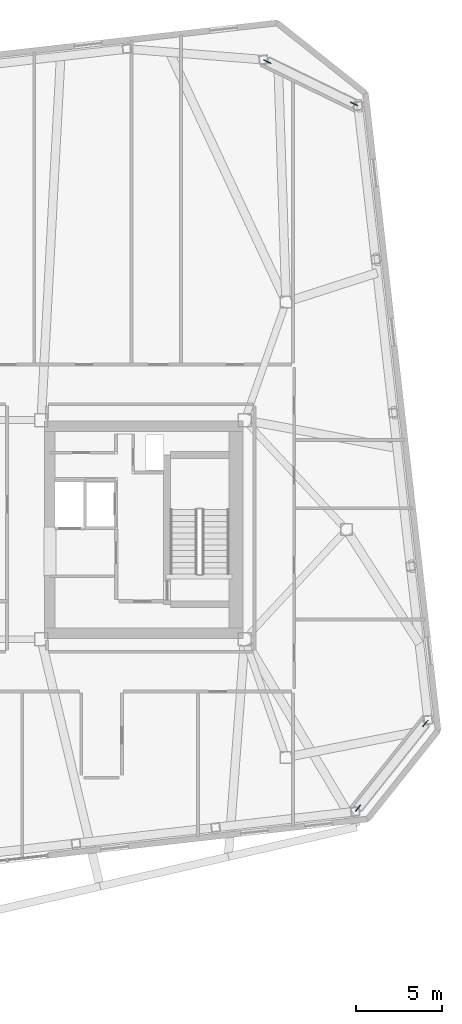
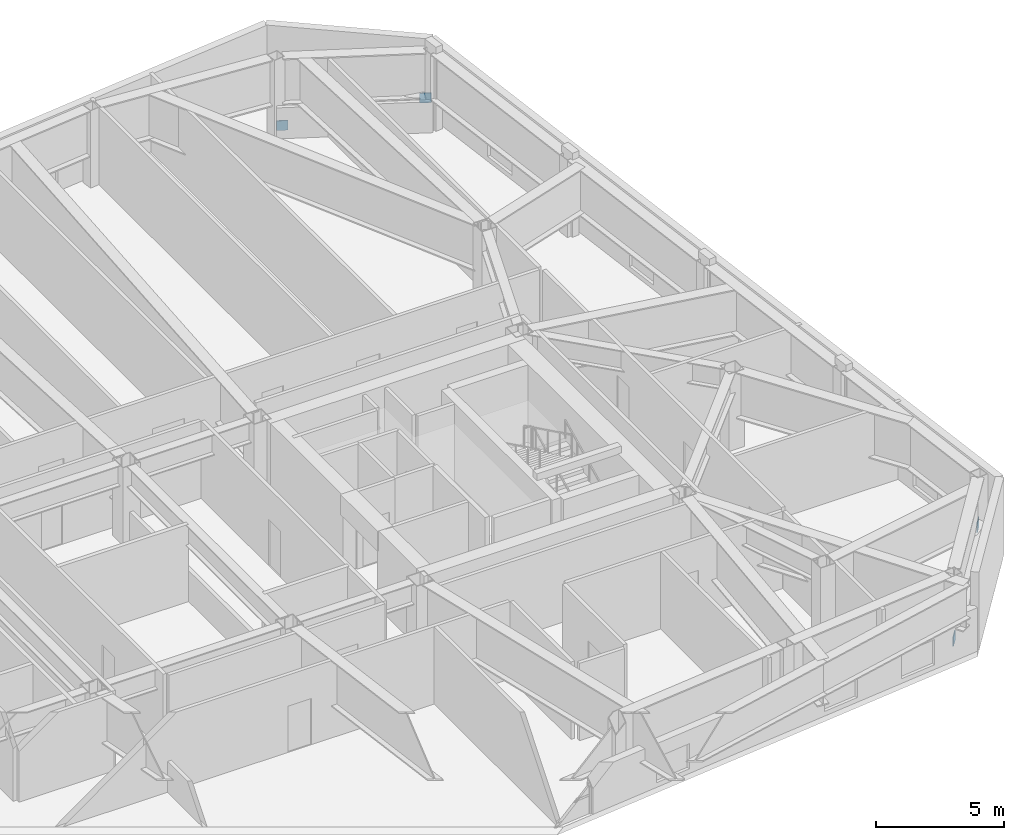
# One storey, part 17 of 18: 4 discrete accessories.
"""IFC4 building model written with IfcOpenShell, lengths in metres."""

from ifc_helpers import new_model, si_unit, direction, frame, origin, origin_2d, place, context, subcontext, project, spatial, rectangle, extrude, material, type_object, element, save


model = new_model("IFC4")

# Units and contexts
model_context = context("Model", 3, precision=1e-05, world=origin(), true_north=direction((0.0, 1.0)))
body_context = subcontext(model_context, "Body", "Model", "MODEL_VIEW")
ifc_project = project(units=[si_unit("LENGTHUNIT", "METRE"), si_unit("AREAUNIT", "SQUARE_METRE"), si_unit("VOLUMEUNIT", "CUBIC_METRE"), si_unit("PLANEANGLEUNIT", "RADIAN"), si_unit("MASSUNIT", "GRAM", prefix="KILO")], contexts=[model_context])

# Site, building, storey
site_placement = place(None, origin())
site = spatial("IfcSite", under=ifc_project, at=site_placement, CompositionType="ELEMENT")
building_placement = place(site_placement, origin())
building = spatial("IfcBuilding", under=site, at=building_placement, Name="Tavrogorsk Clinical Tower", CompositionType="ELEMENT")
storey_placement = place(building_placement, frame((0.0, 0.0, 267.0)))
storey = spatial("IfcBuildingStorey", under=building, at=storey_placement, Name="L62", CompositionType="ELEMENT", Elevation=267.0)

# Discrete accessories
ifc_material = material(Name="Structural steel S440", Category="steel")
discrete_accessory_type = type_object("IfcDiscreteAccessoryType", Name="GussetPlateBracket_25", PredefinedType="BRACKET", material=ifc_material)
for number, where, z_axis, x_axis, name in (
    (1, (28.6669921875, -16.146240234375, 0.1123046875), (0.0, 0.0, 1.0), (0.622514636638, 0.782608156852, 0.0), "L62 Brace Gusset Plate EXOCRN-L62-1-A"),
    (2, (32.575927734375, -11.232177734375, 1.15771484375), (0.0, 0.0, 1.0), (0.622514636638, 0.782608156852, 0.0), "L62 Brace Gusset Plate EXOCRN-L62-1-B"),
    (3, (23.416259765625, 27.14208984375, 0.116943359375), (0.0, 0.0, 1.0), (0.898794046299, -0.438371146789, 0.0), "L62 Brace Gusset Plate EXOCRN-L62-2-A"),
    (4, (28.44921875, 24.68798828125, 1.153076171875), (0.0, 0.0, 1.0), (0.898794046299, -0.438371146789, 0.0), "L62 Brace Gusset Plate EXOCRN-L62-2-B"),
):
    element("IfcDiscreteAccessory", number, at=place(storey_placement, frame(where, z_axis=z_axis, x_axis=x_axis)), inside=storey, type_object=discrete_accessory_type, Name=name, PredefinedType="BRACKET", context=body_context, shape_type="SweptSolid", body=[
        extrude(rectangle(XDim=0.4599609375, YDim=0.0400390625, at=origin_2d()), origin(), (0.0, 0.0, 1.0), 0.4599609375),
    ])

save(model, "model.ifc")
